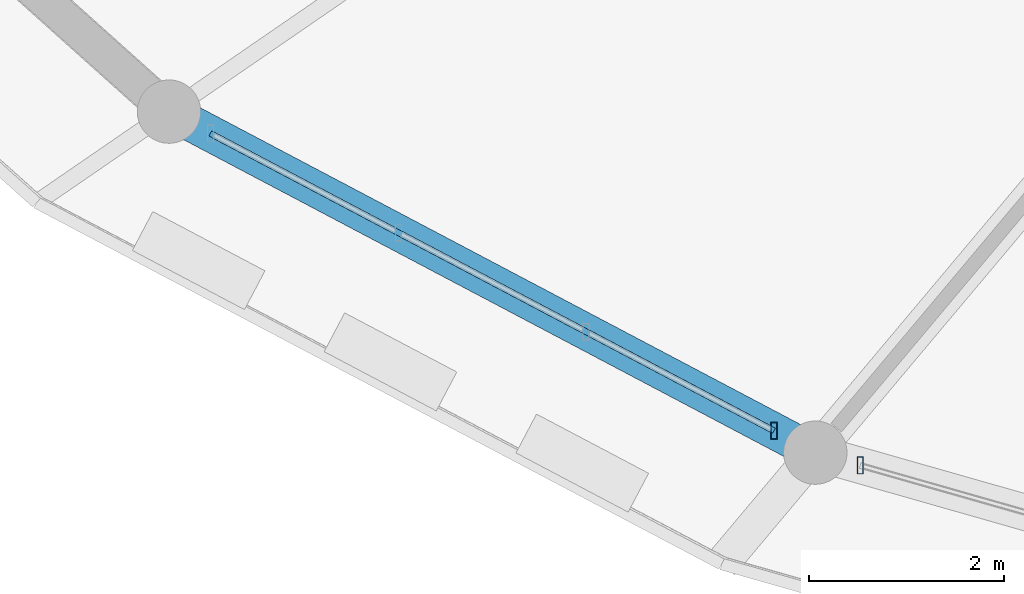
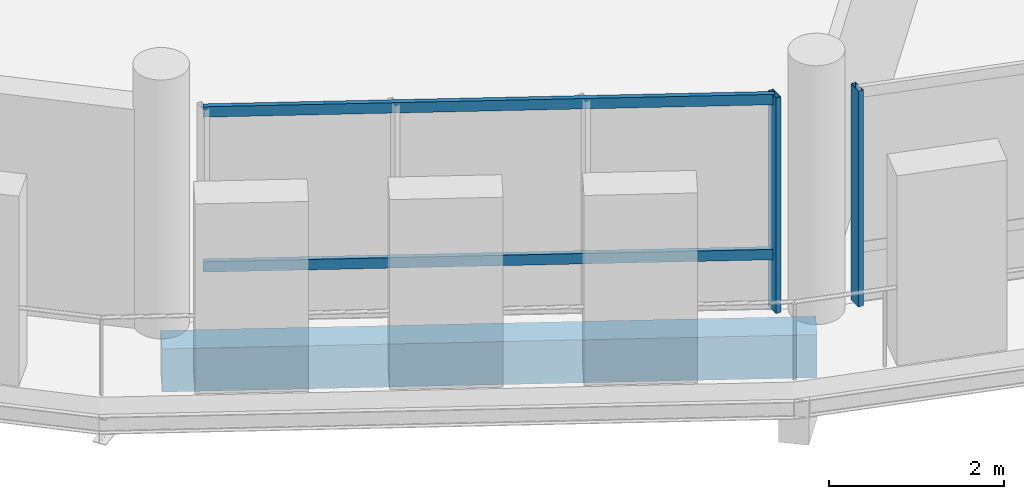
# One storey, part 19 of 93: 4 members, 1 beam, 2 elements without a shape of their own.
"""IFC4 building model written with IfcOpenShell, lengths in metres."""

from ifc_helpers import new_model, si_unit, direction, frame, origin, origin_2d, place, context, subcontext, project, spatial, rectangle, hollow_rectangle, extrude, material, material_profile, profile_set, type_object, element, aggregate, save


model = new_model("IFC4")

# Units and contexts
model_context = context("Model", 3, precision=1e-05, world=origin(), true_north=direction((0.0, 1.0)))
body_context = subcontext(model_context, "Body", "Model", "MODEL_VIEW")
ifc_project = project(units=[si_unit("LENGTHUNIT", "METRE"), si_unit("AREAUNIT", "SQUARE_METRE"), si_unit("VOLUMEUNIT", "CUBIC_METRE"), si_unit("PLANEANGLEUNIT", "RADIAN"), si_unit("MASSUNIT", "GRAM", prefix="KILO")], contexts=[model_context])

# Site, building, storey
site_placement = place(None, origin())
site = spatial("IfcSite", under=ifc_project, at=site_placement, CompositionType="ELEMENT")
building_placement = place(site_placement, origin())
building = spatial("IfcBuilding", under=site, at=building_placement, Name="Zornivar Specialist Clinic", CompositionType="ELEMENT")
storey_placement = place(building_placement, frame((0.0, 0.0, 8.39990234375)))
storey = spatial("IfcBuildingStorey", under=building, at=storey_placement, Name="L02", CompositionType="ELEMENT", Elevation=8.39990234375)

# Beam
ifc_material_1 = material(Name="Concrete C30/37", Category="concrete")
ifc_material_profile_1 = material_profile(ifc_material_1, rectangle(XDim=0.3701171875, YDim=0.60009765625, at=origin_2d()), Name="RC 370x600")
ifc_profile_set_1 = profile_set([ifc_material_profile_1], Name="Concrete C30/37")
beam_type = type_object("IfcBeamType", Name="BM-RC-SPANDREL-370x600", PredefinedType="SPANDREL", material=ifc_profile_set_1)
beam_placement = place(storey_placement, frame((70.972900390625, 42.0439453125, -0.539794921875), z_axis=(0.88443219536, -0.466668717412, 0.0), x_axis=(0.466668717412, 0.88443219536, 0.0)))
element("IfcBeam", 1, at=beam_placement, inside=storey, type_object=beam_type, Name="bm:V1:L02:outring:15", PredefinedType="SPANDREL", context=body_context, shape_type="SweptSolid", body=[
    extrude(rectangle(XDim=0.3701171875, YDim=0.60009765625, at=origin_2d()), origin(), (0.0, 0.0, 1.0), 7.4931640625),
])

# Curtain wall, member
ifc_material_2 = material(Name="Aluminium and Low-E Glass Curtain Wall", Category="aluminium")
curtain_wall_type = type_object("IfcCurtainWallType", Name="CW-DRUM-FACET", PredefinedType="NOTDEFINED", material=ifc_material_2)
curtain_wall_1_placement = place(storey_placement, origin())
curtain_wall_1 = element("IfcCurtainWall", 2, at=curtain_wall_1_placement, inside=storey, type_object=curtain_wall_type, Name="cw:V1:L02:c15", PredefinedType="NOTDEFINED")
ifc_material_3 = material(Name="Aluminium AW-6060", Category="aluminium")
ifc_material_profile_2 = material_profile(ifc_material_3, hollow_rectangle(XDim=0.06494140625, YDim=0.175048828125, WallThickness=0.00439453125, at=origin_2d()), Name="ALU 65x175x4.5")
ifc_profile_set_2 = profile_set([ifc_material_profile_2], Name="Aluminium AW-6060")
member_type_1 = type_object("IfcMemberType", Name="CWM-MUL-175", PredefinedType="MULLION", material=ifc_profile_set_2)
member_1_placement = place(storey_placement, frame((77.176025390625, 38.77099609375, 0.0), z_axis=(0.0, 0.0, 1.0), x_axis=(1.0, 0.0, 0.0)))
member_1 = element("IfcMember", 3, at=member_1_placement, type_object=member_type_1, Name="cw:V1:L02:c15:mul:3", PredefinedType="MULLION", context=body_context, shape_type="SweptSolid", body=[
    extrude(hollow_rectangle(XDim=0.06494140625, YDim=0.175048828125, WallThickness=0.00439453125, at=origin_2d()), origin(), (0.0, 0.0, 1.0), 3.010009765625),
])

curtain_wall_2_placement = place(storey_placement, origin())
curtain_wall_2 = element("IfcCurtainWall", 4, at=curtain_wall_2_placement, inside=storey, type_object=curtain_wall_type, Name="cw:V1:L02:c16", PredefinedType="NOTDEFINED")
member_2_placement = place(storey_placement, frame((78.06103515625, 38.416015625, 0.0), z_axis=(0.0, 0.0, 1.0), x_axis=(1.0, 0.0, 0.0)))
member_2 = element("IfcMember", 5, at=member_2_placement, type_object=member_type_1, Name="cw:V1:L02:c16:mul:0", PredefinedType="MULLION", context=body_context, shape_type="SweptSolid", body=[
    extrude(hollow_rectangle(XDim=0.06494140625, YDim=0.175048828125, WallThickness=0.00439453125, at=origin_2d()), origin(), (0.0, 0.0, 1.0), 3.010009765625),
])
aggregate(curtain_wall_2, [member_2])

# Member
ifc_material_4 = material(Name="Aluminium AW-6060", Category="aluminium")
ifc_material_profile_3 = material_profile(ifc_material_4, hollow_rectangle(XDim=0.06005859375, YDim=0.14501953125, WallThickness=0.00390625, at=origin_2d()), Name="ALU 60x145x4")
ifc_profile_set_3 = profile_set([ifc_material_profile_3], Name="Aluminium AW-6060")
member_type_2 = type_object("IfcMemberType", Name="CWM-TRN-145", PredefinedType="USERDEFINED", material=ifc_profile_set_3)
member_3_placement = place(storey_placement, frame((71.39697265625, 41.820068359375, 0.783203125), z_axis=(0.884446868274, -0.466640908195, 0.0), x_axis=(0.466640908195, 0.884446868274, 0.0)))
member_3 = element("IfcMember", 6, at=member_3_placement, type_object=member_type_2, Name="cw:V1:L02:c15:trn:0", ObjectType="TRANSOM", PredefinedType="USERDEFINED", context=body_context, shape_type="SweptSolid", body=[
    extrude(hollow_rectangle(XDim=0.06005859375, YDim=0.14501953125, WallThickness=0.00390625, at=origin_2d()), origin(), (0.0, 0.0, 1.0), 6.5341796875),
])

member_4_placement = place(storey_placement, frame((71.39697265625, 41.820068359375, 2.945068359375), z_axis=(0.884446868274, -0.466640908195, 0.0), x_axis=(0.466640908195, 0.884446868274, 0.0)))
member_4 = element("IfcMember", 7, at=member_4_placement, type_object=member_type_2, Name="cw:V1:L02:c15:trn:1", ObjectType="TRANSOM", PredefinedType="USERDEFINED", context=body_context, shape_type="SweptSolid", body=[
    extrude(hollow_rectangle(XDim=0.06005859375, YDim=0.14501953125, WallThickness=0.00390625, at=origin_2d()), origin(), (0.0, 0.0, 1.0), 6.5341796875),
])

aggregate(curtain_wall_1, [member_1, member_3, member_4])

save(model, "model.ifc")
